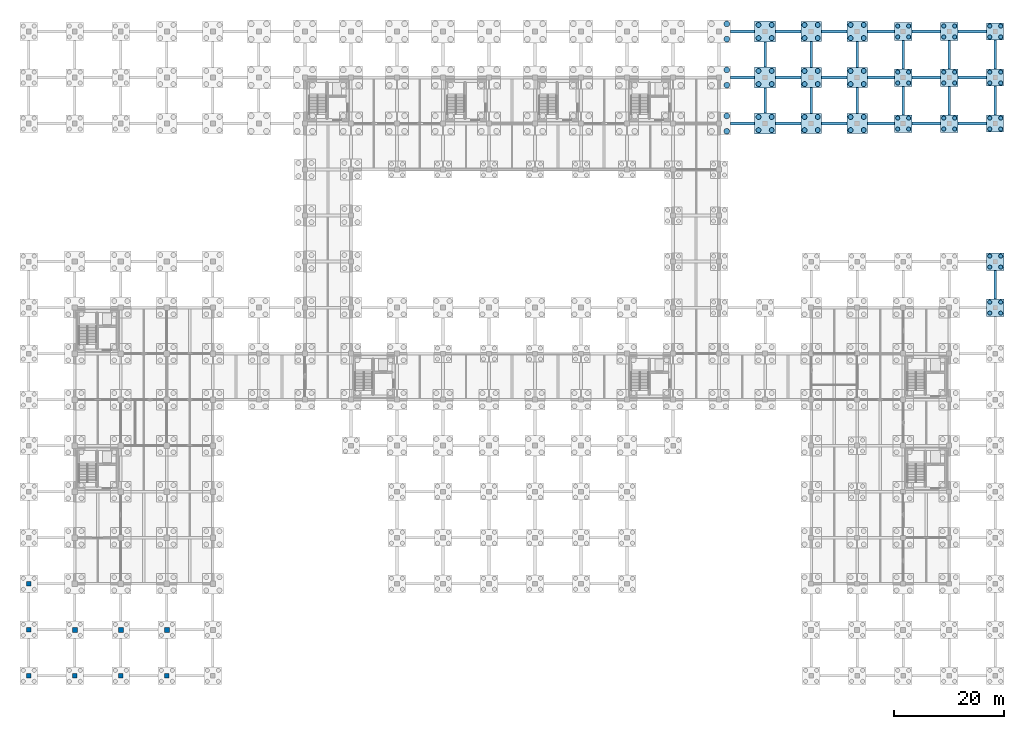
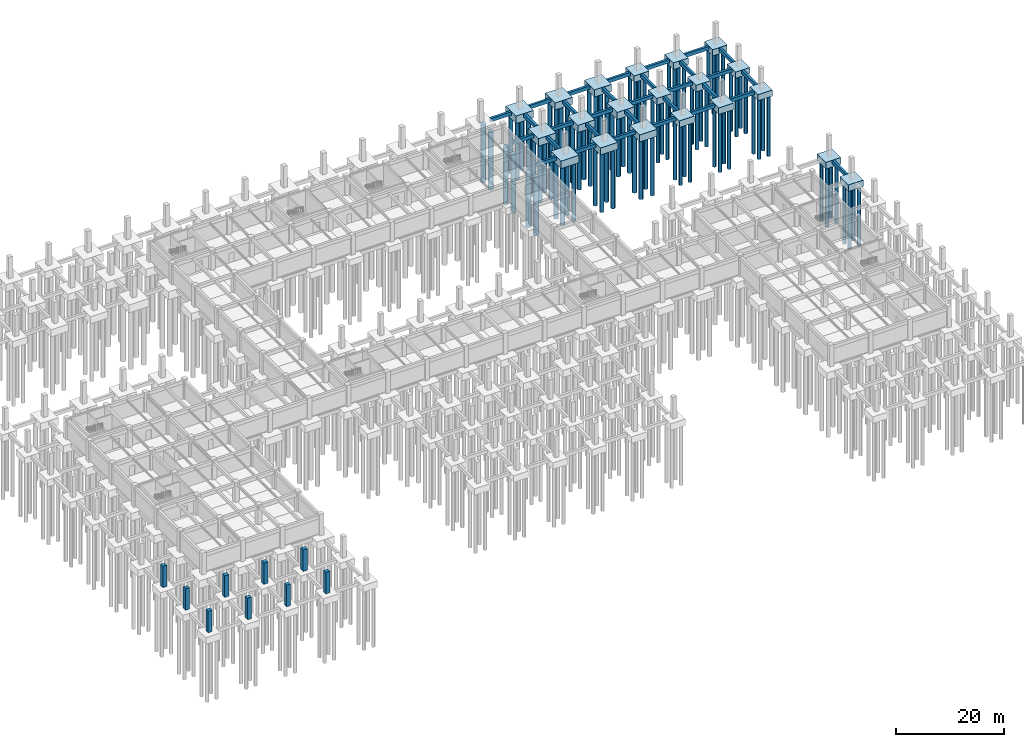
# One storey, part 11 of 29: 86 piles, 51 footings, 9 columns.
"""IFC4 building model written with IfcOpenShell, lengths in metres."""

from ifc_helpers import new_model, si_unit, direction, frame, origin, origin_2d, place, context, subcontext, project, spatial, rectangle, circle, extrude, material, material_profile, profile_set, type_object, element, save


model = new_model("IFC4")

# Units and contexts
model_context = context("Model", 3, precision=1e-05, world=origin(), true_north=direction((0.0, 1.0)))
body_context = subcontext(model_context, "Body", "Model", "MODEL_VIEW")
ifc_project = project(units=[si_unit("LENGTHUNIT", "METRE"), si_unit("AREAUNIT", "SQUARE_METRE"), si_unit("VOLUMEUNIT", "CUBIC_METRE"), si_unit("PLANEANGLEUNIT", "RADIAN"), si_unit("MASSUNIT", "GRAM", prefix="KILO")], contexts=[model_context])

# Site, building, storey
site_placement = place(None, origin())
site = spatial("IfcSite", under=ifc_project, at=site_placement, CompositionType="ELEMENT")
building_placement = place(site_placement, origin())
building = spatial("IfcBuilding", under=site, at=building_placement, Name="Porcellanite Civic Hall", CompositionType="ELEMENT")
storey_placement = place(building_placement, frame((0.0, 0.0, -4.5)))
storey = spatial("IfcBuildingStorey", under=building, at=storey_placement, Name="B1", CompositionType="ELEMENT", Elevation=-4.5)

# Footings
ifc_material_1 = material(Name="Concrete N40 (40 MPa)", Category="concrete")
ifc_material_profile_1 = material_profile(ifc_material_1, rectangle(XDim=0.5, YDim=0.800048828125, at=origin_2d()), Name="RC-500x800")
ifc_profile_set_1 = profile_set([ifc_material_profile_1], Name="Concrete N40 (40 MPa)")
footing_type_1 = type_object("IfcFootingType", Name="GB-01", PredefinedType="FOOTING_BEAM", material=ifc_profile_set_1)
for number, where, z_axis, x_axis, name in (
    (1, (128.10009765625, 100.800048828125, -0.75), (1.0, 0.0, 0.0), (0.0, 1.0, 0.0), "Ground tie beam B1 15-12 X"),
    (2, (128.10009765625, 109.199951171875, -0.75), (1.0, 0.0, 0.0), (0.0, 1.0, 0.0), "Ground tie beam B1 15-13 X"),
    (3, (128.10009765625, 117.60009765625, -0.75), (1.0, 0.0, 0.0), (0.0, 1.0, 0.0), "Ground tie beam B1 15-14 X"),
):
    element("IfcFooting", number, at=place(storey_placement, frame(where, z_axis=z_axis, x_axis=x_axis)), inside=storey, type_object=footing_type_1, Name=name, PredefinedType="FOOTING_BEAM", context=body_context, shape_type="SweptSolid", body=[
        extrude(rectangle(XDim=0.5, YDim=0.800048828125, at=origin_2d()), origin(), (0.0, 0.0, 1.0), 4.39990234375),
    ])
footing_1_placement = place(storey_placement, frame((136.300048828125, 100.800048828125, -0.75), z_axis=(1.0, 0.0, 0.0), x_axis=(0.0, 1.0, 0.0)))
element("IfcFooting", 4, at=footing_1_placement, inside=storey, type_object=footing_type_1, Name="Ground tie beam B1 16-12 X", PredefinedType="FOOTING_BEAM", context=body_context, shape_type="SweptSolid", body=[
    extrude(rectangle(XDim=0.5, YDim=0.800048828125, at=origin_2d()), origin(), (0.0, 0.0, 1.0), 4.64990234375),
])
footing_2_placement = place(storey_placement, frame((134.39990234375, 102.699951171875, -0.75), z_axis=(0.0, 1.0, 0.0), x_axis=(-1.0, 0.0, 0.0)))
element("IfcFooting", 5, at=footing_2_placement, inside=storey, type_object=footing_type_1, Name="Ground tie beam B1 16-12 Y", PredefinedType="FOOTING_BEAM", context=body_context, shape_type="SweptSolid", body=[
    extrude(rectangle(XDim=0.5, YDim=0.800048828125, at=origin_2d()), origin(), (0.0, 0.0, 1.0), 4.60009765625),
])
footing_3_placement = place(storey_placement, frame((136.300048828125, 109.199951171875, -0.75), z_axis=(1.0, 0.0, 0.0), x_axis=(0.0, 1.0, 0.0)))
element("IfcFooting", 6, at=footing_3_placement, inside=storey, type_object=footing_type_1, Name="Ground tie beam B1 16-13 X", PredefinedType="FOOTING_BEAM", context=body_context, shape_type="SweptSolid", body=[
    extrude(rectangle(XDim=0.5, YDim=0.800048828125, at=origin_2d()), origin(), (0.0, 0.0, 1.0), 4.64990234375),
])
footing_4_placement = place(storey_placement, frame((134.39990234375, 111.10009765625, -0.75), z_axis=(0.0, 1.0, 0.0), x_axis=(-1.0, 0.0, 0.0)))
element("IfcFooting", 7, at=footing_4_placement, inside=storey, type_object=footing_type_1, Name="Ground tie beam B1 16-13 Y", PredefinedType="FOOTING_BEAM", context=body_context, shape_type="SweptSolid", body=[
    extrude(rectangle(XDim=0.5, YDim=0.800048828125, at=origin_2d()), origin(), (0.0, 0.0, 1.0), 4.599853515625),
])
footing_5_placement = place(storey_placement, frame((136.300048828125, 117.60009765625, -0.75), z_axis=(1.0, 0.0, 0.0), x_axis=(0.0, 1.0, 0.0)))
element("IfcFooting", 8, at=footing_5_placement, inside=storey, type_object=footing_type_1, Name="Ground tie beam B1 16-14 X", PredefinedType="FOOTING_BEAM", context=body_context, shape_type="SweptSolid", body=[
    extrude(rectangle(XDim=0.5, YDim=0.800048828125, at=origin_2d()), origin(), (0.0, 0.0, 1.0), 4.64990234375),
])
for number, where, z_axis, x_axis, name in (
    (9, (144.64990234375, 100.800048828125, -0.75), (1.0, 0.0, 0.0), (0.0, 1.0, 0.0), "Ground tie beam B1 17-12 X"),
    (10, (142.800048828125, 102.64990234375, -0.75), (0.0, 1.0, 0.0), (-1.0, 0.0, 0.0), "Ground tie beam B1 17-12 Y"),
    (11, (144.64990234375, 109.199951171875, -0.75), (1.0, 0.0, 0.0), (0.0, 1.0, 0.0), "Ground tie beam B1 17-13 X"),
):
    element("IfcFooting", number, at=place(storey_placement, frame(where, z_axis=z_axis, x_axis=x_axis)), inside=storey, type_object=footing_type_1, Name=name, PredefinedType="FOOTING_BEAM", context=body_context, shape_type="SweptSolid", body=[
        extrude(rectangle(XDim=0.5, YDim=0.800048828125, at=origin_2d()), origin(), (0.0, 0.0, 1.0), 4.7001953125),
    ])
footing_6_placement = place(storey_placement, frame((142.800048828125, 111.050048828125, -0.75), z_axis=(0.0, 1.0, 0.0), x_axis=(-1.0, 0.0, 0.0)))
element("IfcFooting", 12, at=footing_6_placement, inside=storey, type_object=footing_type_1, Name="Ground tie beam B1 17-13 Y", PredefinedType="FOOTING_BEAM", context=body_context, shape_type="SweptSolid", body=[
    extrude(rectangle(XDim=0.5, YDim=0.800048828125, at=origin_2d()), origin(), (0.0, 0.0, 1.0), 4.699951171875),
])
footing_7_placement = place(storey_placement, frame((144.64990234375, 117.60009765625, -0.75), z_axis=(1.0, 0.0, 0.0), x_axis=(0.0, 1.0, 0.0)))
element("IfcFooting", 13, at=footing_7_placement, inside=storey, type_object=footing_type_1, Name="Ground tie beam B1 17-14 X", PredefinedType="FOOTING_BEAM", context=body_context, shape_type="SweptSolid", body=[
    extrude(rectangle(XDim=0.5, YDim=0.800048828125, at=origin_2d()), origin(), (0.0, 0.0, 1.0), 4.7001953125),
])
footing_8_placement = place(storey_placement, frame((153.050048828125, 100.800048828125, -0.75), z_axis=(1.0, 0.0, 0.0), x_axis=(0.0, 1.0, 0.0)))
element("IfcFooting", 14, at=footing_8_placement, inside=storey, type_object=footing_type_1, Name="Ground tie beam B1 18-12 X", PredefinedType="FOOTING_BEAM", context=body_context, shape_type="SweptSolid", body=[
    extrude(rectangle(XDim=0.5, YDim=0.800048828125, at=origin_2d()), origin(), (0.0, 0.0, 1.0), 4.949951171875),
])
footing_9_placement = place(storey_placement, frame((151.199951171875, 102.64990234375, -0.75), z_axis=(0.0, 1.0, 0.0), x_axis=(-1.0, 0.0, 0.0)))
element("IfcFooting", 15, at=footing_9_placement, inside=storey, type_object=footing_type_1, Name="Ground tie beam B1 18-12 Y", PredefinedType="FOOTING_BEAM", context=body_context, shape_type="SweptSolid", body=[
    extrude(rectangle(XDim=0.5, YDim=0.800048828125, at=origin_2d()), origin(), (0.0, 0.0, 1.0), 4.7001953125),
])
footing_10_placement = place(storey_placement, frame((153.050048828125, 109.199951171875, -0.75), z_axis=(1.0, 0.0, 0.0), x_axis=(0.0, 1.0, 0.0)))
element("IfcFooting", 16, at=footing_10_placement, inside=storey, type_object=footing_type_1, Name="Ground tie beam B1 18-13 X", PredefinedType="FOOTING_BEAM", context=body_context, shape_type="SweptSolid", body=[
    extrude(rectangle(XDim=0.5, YDim=0.800048828125, at=origin_2d()), origin(), (0.0, 0.0, 1.0), 4.949951171875),
])
footing_11_placement = place(storey_placement, frame((151.199951171875, 111.050048828125, -0.75), z_axis=(0.0, 1.0, 0.0), x_axis=(-1.0, 0.0, 0.0)))
element("IfcFooting", 17, at=footing_11_placement, inside=storey, type_object=footing_type_1, Name="Ground tie beam B1 18-13 Y", PredefinedType="FOOTING_BEAM", context=body_context, shape_type="SweptSolid", body=[
    extrude(rectangle(XDim=0.5, YDim=0.800048828125, at=origin_2d()), origin(), (0.0, 0.0, 1.0), 4.699951171875),
])
footing_12_placement = place(storey_placement, frame((153.050048828125, 117.60009765625, -0.75), z_axis=(1.0, 0.0, 0.0), x_axis=(0.0, 1.0, 0.0)))
element("IfcFooting", 18, at=footing_12_placement, inside=storey, type_object=footing_type_1, Name="Ground tie beam B1 18-14 X", PredefinedType="FOOTING_BEAM", context=body_context, shape_type="SweptSolid", body=[
    extrude(rectangle(XDim=0.5, YDim=0.800048828125, at=origin_2d()), origin(), (0.0, 0.0, 1.0), 4.949951171875),
])
footing_13_placement = place(storey_placement, frame((161.199951171875, 100.800048828125, -0.75), z_axis=(1.0, 0.0, 0.0), x_axis=(0.0, 1.0, 0.0)))
element("IfcFooting", 19, at=footing_13_placement, inside=storey, type_object=footing_type_1, Name="Ground tie beam B1 19-12 X", PredefinedType="FOOTING_BEAM", context=body_context, shape_type="SweptSolid", body=[
    extrude(rectangle(XDim=0.5, YDim=0.800048828125, at=origin_2d()), origin(), (0.0, 0.0, 1.0), 5.199951171875),
])
footing_14_placement = place(storey_placement, frame((159.60009765625, 102.39990234375, -0.75), z_axis=(0.0, 1.0, 0.0), x_axis=(-1.0, 0.0, 0.0)))
element("IfcFooting", 20, at=footing_14_placement, inside=storey, type_object=footing_type_1, Name="Ground tie beam B1 19-12 Y", PredefinedType="FOOTING_BEAM", context=body_context, shape_type="SweptSolid", body=[
    extrude(rectangle(XDim=0.5, YDim=0.800048828125, at=origin_2d()), origin(), (0.0, 0.0, 1.0), 5.2001953125),
])
for number, where, z_axis, x_axis, name in (
    (21, (161.199951171875, 109.199951171875, -0.75), (1.0, 0.0, 0.0), (0.0, 1.0, 0.0), "Ground tie beam B1 19-13 X"),
    (22, (159.60009765625, 110.800048828125, -0.75), (0.0, 1.0, 0.0), (-1.0, 0.0, 0.0), "Ground tie beam B1 19-13 Y"),
    (23, (161.199951171875, 117.60009765625, -0.75), (1.0, 0.0, 0.0), (0.0, 1.0, 0.0), "Ground tie beam B1 19-14 X"),
):
    element("IfcFooting", number, at=place(storey_placement, frame(where, z_axis=z_axis, x_axis=x_axis)), inside=storey, type_object=footing_type_1, Name=name, PredefinedType="FOOTING_BEAM", context=body_context, shape_type="SweptSolid", body=[
        extrude(rectangle(XDim=0.5, YDim=0.800048828125, at=origin_2d()), origin(), (0.0, 0.0, 1.0), 5.199951171875),
    ])
footing_15_placement = place(storey_placement, frame((169.60009765625, 100.800048828125, -0.75), z_axis=(1.0, 0.0, 0.0), x_axis=(0.0, 1.0, 0.0)))
element("IfcFooting", 24, at=footing_15_placement, inside=storey, type_object=footing_type_1, Name="Ground tie beam B1 20-12 X", PredefinedType="FOOTING_BEAM", context=body_context, shape_type="SweptSolid", body=[
    extrude(rectangle(XDim=0.5, YDim=0.800048828125, at=origin_2d()), origin(), (0.0, 0.0, 1.0), 5.25),
])
footing_16_placement = place(storey_placement, frame((168.0, 102.39990234375, -0.75), z_axis=(0.0, 1.0, 0.0), x_axis=(-1.0, 0.0, 0.0)))
element("IfcFooting", 25, at=footing_16_placement, inside=storey, type_object=footing_type_1, Name="Ground tie beam B1 20-12 Y", PredefinedType="FOOTING_BEAM", context=body_context, shape_type="SweptSolid", body=[
    extrude(rectangle(XDim=0.5, YDim=0.800048828125, at=origin_2d()), origin(), (0.0, 0.0, 1.0), 5.2001953125),
])
footing_17_placement = place(storey_placement, frame((169.60009765625, 109.199951171875, -0.75), z_axis=(1.0, 0.0, 0.0), x_axis=(0.0, 1.0, 0.0)))
element("IfcFooting", 26, at=footing_17_placement, inside=storey, type_object=footing_type_1, Name="Ground tie beam B1 20-13 X", PredefinedType="FOOTING_BEAM", context=body_context, shape_type="SweptSolid", body=[
    extrude(rectangle(XDim=0.5, YDim=0.800048828125, at=origin_2d()), origin(), (0.0, 0.0, 1.0), 5.25),
])
footing_18_placement = place(storey_placement, frame((168.0, 110.800048828125, -0.75), z_axis=(0.0, 1.0, 0.0), x_axis=(-1.0, 0.0, 0.0)))
element("IfcFooting", 27, at=footing_18_placement, inside=storey, type_object=footing_type_1, Name="Ground tie beam B1 20-13 Y", PredefinedType="FOOTING_BEAM", context=body_context, shape_type="SweptSolid", body=[
    extrude(rectangle(XDim=0.5, YDim=0.800048828125, at=origin_2d()), origin(), (0.0, 0.0, 1.0), 5.199951171875),
])
footing_19_placement = place(storey_placement, frame((169.60009765625, 117.60009765625, -0.75), z_axis=(1.0, 0.0, 0.0), x_axis=(0.0, 1.0, 0.0)))
element("IfcFooting", 28, at=footing_19_placement, inside=storey, type_object=footing_type_1, Name="Ground tie beam B1 20-14 X", PredefinedType="FOOTING_BEAM", context=body_context, shape_type="SweptSolid", body=[
    extrude(rectangle(XDim=0.5, YDim=0.800048828125, at=origin_2d()), origin(), (0.0, 0.0, 1.0), 5.25),
])
footing_20_placement = place(storey_placement, frame((176.39990234375, 68.800048828125, -0.75), z_axis=(0.0, 1.0, 0.0), x_axis=(-1.0, 0.0, 0.0)))
element("IfcFooting", 29, at=footing_20_placement, inside=storey, type_object=footing_type_1, Name="Ground tie beam B1 21-8 Y", PredefinedType="FOOTING_BEAM", context=body_context, shape_type="SweptSolid", body=[
    extrude(rectangle(XDim=0.5, YDim=0.800048828125, at=origin_2d()), origin(), (0.0, 0.0, 1.0), 5.199951171875),
])
footing_21_placement = place(storey_placement, frame((176.39990234375, 102.35009765625, -0.75), z_axis=(0.0, 1.0, 0.0), x_axis=(-1.0, 0.0, 0.0)))
element("IfcFooting", 30, at=footing_21_placement, inside=storey, type_object=footing_type_1, Name="Ground tie beam B1 21-12 Y", PredefinedType="FOOTING_BEAM", context=body_context, shape_type="SweptSolid", body=[
    extrude(rectangle(XDim=0.5, YDim=0.800048828125, at=origin_2d()), origin(), (0.0, 0.0, 1.0), 5.2998046875),
])
footing_22_placement = place(storey_placement, frame((176.39990234375, 110.75, -0.75), z_axis=(0.0, 1.0, 0.0), x_axis=(-1.0, 0.0, 0.0)))
element("IfcFooting", 31, at=footing_22_placement, inside=storey, type_object=footing_type_1, Name="Ground tie beam B1 21-13 Y", PredefinedType="FOOTING_BEAM", context=body_context, shape_type="SweptSolid", body=[
    extrude(rectangle(XDim=0.5, YDim=0.800048828125, at=origin_2d()), origin(), (0.0, 0.0, 1.0), 5.300048828125),
])
ifc_material_2 = material(Name="Concrete N40 (40 MPa)", Category="concrete")
footing_type_2 = type_object("IfcFootingType", Name="PC-01", PredefinedType="PILE_CAP", material=ifc_material_2)
for number, where, z_axis, x_axis, name in (
    (32, (176.39990234375, 100.800048828125, -1.75), (0.0, 0.0, 1.0), (1.0, 0.0, 0.0), "Pile cap 21-12"),
    (33, (176.39990234375, 109.199951171875, -1.75), (0.0, 0.0, 1.0), (1.0, 0.0, 0.0), "Pile cap 21-13"),
    (34, (176.39990234375, 117.60009765625, -1.75), (0.0, 0.0, 1.0), (1.0, 0.0, 0.0), "Pile cap 21-14"),
):
    element("IfcFooting", number, at=place(storey_placement, frame(where, z_axis=z_axis, x_axis=x_axis)), inside=storey, type_object=footing_type_2, Name=name, PredefinedType="PILE_CAP", context=body_context, shape_type="SweptSolid", body=[
        extrude(rectangle(XDim=3.10009765625, YDim=3.10009765625, at=origin_2d()), origin(), (0.0, 0.0, 1.0), 1.39990234375),
    ])
ifc_material_3 = material(Name="Concrete N40 (40 MPa)", Category="concrete")
footing_type_3 = type_object("IfcFootingType", Name="PC-02", PredefinedType="PILE_CAP", material=ifc_material_3)
for number, where, z_axis, x_axis, name in (
    (35, (159.60009765625, 100.800048828125, -1.85009765625), (0.0, 0.0, 1.0), (1.0, 0.0, 0.0), "Pile cap 19-12"),
    (36, (159.60009765625, 109.199951171875, -1.85009765625), (0.0, 0.0, 1.0), (1.0, 0.0, 0.0), "Pile cap 19-13"),
    (37, (159.60009765625, 117.60009765625, -1.85009765625), (0.0, 0.0, 1.0), (1.0, 0.0, 0.0), "Pile cap 19-14"),
    (38, (168.0, 100.800048828125, -1.85009765625), (0.0, 0.0, 1.0), (1.0, 0.0, 0.0), "Pile cap 20-12"),
    (39, (168.0, 109.199951171875, -1.85009765625), (0.0, 0.0, 1.0), (1.0, 0.0, 0.0), "Pile cap 20-13"),
    (40, (168.0, 117.60009765625, -1.85009765625), (0.0, 0.0, 1.0), (1.0, 0.0, 0.0), "Pile cap 20-14"),
    (41, (176.39990234375, 67.199951171875, -1.85009765625), (0.0, 0.0, 1.0), (1.0, 0.0, 0.0), "Pile cap 21-8"),
    (42, (176.39990234375, 75.60009765625, -1.85009765625), (0.0, 0.0, 1.0), (1.0, 0.0, 0.0), "Pile cap 21-9"),
):
    element("IfcFooting", number, at=place(storey_placement, frame(where, z_axis=z_axis, x_axis=x_axis)), inside=storey, type_object=footing_type_3, Name=name, PredefinedType="PILE_CAP", context=body_context, shape_type="SweptSolid", body=[
        extrude(rectangle(XDim=3.199951171875, YDim=3.199951171875, at=origin_2d()), origin(), (0.0, 0.0, 1.0), 1.5),
    ])
ifc_material_4 = material(Name="Concrete N40 (40 MPa)", Category="concrete")
footing_type_4 = type_object("IfcFootingType", Name="PC-03", PredefinedType="PILE_CAP", material=ifc_material_4)
for number, where, z_axis, x_axis, name in (
    (43, (142.800048828125, 100.800048828125, -1.949951171875), (0.0, 0.0, 1.0), (1.0, 0.0, 0.0), "Pile cap 17-12"),
    (44, (142.800048828125, 109.199951171875, -1.949951171875), (0.0, 0.0, 1.0), (1.0, 0.0, 0.0), "Pile cap 17-13"),
    (45, (142.800048828125, 117.60009765625, -1.949951171875), (0.0, 0.0, 1.0), (1.0, 0.0, 0.0), "Pile cap 17-14"),
    (46, (151.199951171875, 100.800048828125, -1.949951171875), (0.0, 0.0, 1.0), (1.0, 0.0, 0.0), "Pile cap 18-12"),
    (47, (151.199951171875, 109.199951171875, -1.949951171875), (0.0, 0.0, 1.0), (1.0, 0.0, 0.0), "Pile cap 18-13"),
    (48, (151.199951171875, 117.60009765625, -1.949951171875), (0.0, 0.0, 1.0), (1.0, 0.0, 0.0), "Pile cap 18-14"),
):
    element("IfcFooting", number, at=place(storey_placement, frame(where, z_axis=z_axis, x_axis=x_axis)), inside=storey, type_object=footing_type_4, Name=name, PredefinedType="PILE_CAP", context=body_context, shape_type="SweptSolid", body=[
        extrude(rectangle(XDim=3.699951171875, YDim=3.699951171875, at=origin_2d()), origin(), (0.0, 0.0, 1.0), 1.60009765625),
    ])
ifc_material_5 = material(Name="Concrete N40 (40 MPa)", Category="concrete")
footing_type_5 = type_object("IfcFootingType", Name="PC-04", PredefinedType="PILE_CAP", material=ifc_material_5)
for number, where, z_axis, x_axis, name in (
    (49, (134.39990234375, 100.800048828125, -2.0498046875), (0.0, 0.0, 1.0), (1.0, 0.0, 0.0), "Pile cap 16-12"),
    (50, (134.39990234375, 109.199951171875, -2.0498046875), (0.0, 0.0, 1.0), (1.0, 0.0, 0.0), "Pile cap 16-13"),
    (51, (134.39990234375, 117.60009765625, -2.0498046875), (0.0, 0.0, 1.0), (1.0, 0.0, 0.0), "Pile cap 16-14"),
):
    element("IfcFooting", number, at=place(storey_placement, frame(where, z_axis=z_axis, x_axis=x_axis)), inside=storey, type_object=footing_type_5, Name=name, PredefinedType="PILE_CAP", context=body_context, shape_type="SweptSolid", body=[
        extrude(rectangle(XDim=3.800048828125, YDim=3.800048828125, at=origin_2d()), origin(), (0.0, 0.0, 1.0), 1.699951171875),
    ])

# Piles
ifc_material_6 = material(Name="Concrete N40 (40 MPa)", Category="concrete")
ifc_material_profile_2 = material_profile(ifc_material_6, circle(Radius=0.52490234375, at=origin_2d()), Name="PILE-D1050")
ifc_profile_set_2 = profile_set([ifc_material_profile_2], Name="Concrete N40 (40 MPa)")
pile_type_1 = type_object("IfcPileType", Name="PL-1050", PredefinedType="BORED", material=ifc_profile_set_2)
for number, where, z_axis, x_axis, name in (
    (52, (127.39990234375, 99.39990234375, -2.14990234375), (0.0, 0.0, -1.0), (1.0, 0.0, 0.0), "Bored pile 15-12-3"),
    (53, (127.39990234375, 102.199951171875, -2.14990234375), (0.0, 0.0, -1.0), (1.0, 0.0, 0.0), "Bored pile 15-12-4"),
    (54, (127.39990234375, 107.800048828125, -2.14990234375), (0.0, 0.0, -1.0), (1.0, 0.0, 0.0), "Bored pile 15-13-3"),
    (55, (127.39990234375, 110.60009765625, -2.14990234375), (0.0, 0.0, -1.0), (1.0, 0.0, 0.0), "Bored pile 15-13-4"),
    (56, (127.39990234375, 116.199951171875, -2.14990234375), (0.0, 0.0, -1.0), (1.0, 0.0, 0.0), "Bored pile 15-14-3"),
    (57, (127.39990234375, 119.0, -2.14990234375), (0.0, 0.0, -1.0), (1.0, 0.0, 0.0), "Bored pile 15-14-4"),
):
    element("IfcPile", number, at=place(storey_placement, frame(where, z_axis=z_axis, x_axis=x_axis)), inside=storey, type_object=pile_type_1, Name=name, PredefinedType="BORED", context=body_context, shape_type="SweptSolid", body=[
        extrude(circle(Radius=0.52490234375, at=origin_2d()), origin(), (0.0, 0.0, 1.0), 13.14990234375),
    ])
ifc_material_7 = material(Name="Concrete N40 (40 MPa)", Category="concrete")
ifc_material_profile_3 = material_profile(ifc_material_7, circle(Radius=0.375, at=origin_2d()), Name="PILE-D750")
ifc_profile_set_3 = profile_set([ifc_material_profile_3], Name="Concrete N40 (40 MPa)")
pile_type_2 = type_object("IfcPileType", Name="PL-750", PredefinedType="BORED", material=ifc_profile_set_3)
for number, where, z_axis, x_axis, name in (
    (58, (158.60009765625, 99.800048828125, -1.85009765625), (0.0, 0.0, -1.0), (1.0, 0.0, 0.0), "Bored pile 19-12-1"),
    (59, (158.60009765625, 101.800048828125, -1.85009765625), (0.0, 0.0, -1.0), (1.0, 0.0, 0.0), "Bored pile 19-12-2"),
    (60, (160.60009765625, 99.800048828125, -1.85009765625), (0.0, 0.0, -1.0), (1.0, 0.0, 0.0), "Bored pile 19-12-3"),
    (61, (160.60009765625, 101.800048828125, -1.85009765625), (0.0, 0.0, -1.0), (1.0, 0.0, 0.0), "Bored pile 19-12-4"),
    (62, (158.60009765625, 108.199951171875, -1.85009765625), (0.0, 0.0, -1.0), (1.0, 0.0, 0.0), "Bored pile 19-13-1"),
    (63, (158.60009765625, 110.199951171875, -1.85009765625), (0.0, 0.0, -1.0), (1.0, 0.0, 0.0), "Bored pile 19-13-2"),
    (64, (160.60009765625, 108.199951171875, -1.85009765625), (0.0, 0.0, -1.0), (1.0, 0.0, 0.0), "Bored pile 19-13-3"),
    (65, (160.60009765625, 110.199951171875, -1.85009765625), (0.0, 0.0, -1.0), (1.0, 0.0, 0.0), "Bored pile 19-13-4"),
    (66, (158.60009765625, 116.60009765625, -1.85009765625), (0.0, 0.0, -1.0), (1.0, 0.0, 0.0), "Bored pile 19-14-1"),
    (67, (158.60009765625, 118.60009765625, -1.85009765625), (0.0, 0.0, -1.0), (1.0, 0.0, 0.0), "Bored pile 19-14-2"),
    (68, (160.60009765625, 116.60009765625, -1.85009765625), (0.0, 0.0, -1.0), (1.0, 0.0, 0.0), "Bored pile 19-14-3"),
    (69, (160.60009765625, 118.60009765625, -1.85009765625), (0.0, 0.0, -1.0), (1.0, 0.0, 0.0), "Bored pile 19-14-4"),
    (70, (167.0, 99.800048828125, -1.85009765625), (0.0, 0.0, -1.0), (1.0, 0.0, 0.0), "Bored pile 20-12-1"),
    (71, (167.0, 101.800048828125, -1.85009765625), (0.0, 0.0, -1.0), (1.0, 0.0, 0.0), "Bored pile 20-12-2"),
    (72, (169.0, 99.800048828125, -1.85009765625), (0.0, 0.0, -1.0), (1.0, 0.0, 0.0), "Bored pile 20-12-3"),
    (73, (169.0, 101.800048828125, -1.85009765625), (0.0, 0.0, -1.0), (1.0, 0.0, 0.0), "Bored pile 20-12-4"),
    (74, (167.0, 108.199951171875, -1.85009765625), (0.0, 0.0, -1.0), (1.0, 0.0, 0.0), "Bored pile 20-13-1"),
    (75, (167.0, 110.199951171875, -1.85009765625), (0.0, 0.0, -1.0), (1.0, 0.0, 0.0), "Bored pile 20-13-2"),
    (76, (169.0, 108.199951171875, -1.85009765625), (0.0, 0.0, -1.0), (1.0, 0.0, 0.0), "Bored pile 20-13-3"),
    (77, (169.0, 110.199951171875, -1.85009765625), (0.0, 0.0, -1.0), (1.0, 0.0, 0.0), "Bored pile 20-13-4"),
    (78, (167.0, 116.60009765625, -1.85009765625), (0.0, 0.0, -1.0), (1.0, 0.0, 0.0), "Bored pile 20-14-1"),
    (79, (167.0, 118.60009765625, -1.85009765625), (0.0, 0.0, -1.0), (1.0, 0.0, 0.0), "Bored pile 20-14-2"),
    (80, (169.0, 116.60009765625, -1.85009765625), (0.0, 0.0, -1.0), (1.0, 0.0, 0.0), "Bored pile 20-14-3"),
    (81, (169.0, 118.60009765625, -1.85009765625), (0.0, 0.0, -1.0), (1.0, 0.0, 0.0), "Bored pile 20-14-4"),
    (82, (175.39990234375, 66.199951171875, -1.85009765625), (0.0, 0.0, -1.0), (1.0, 0.0, 0.0), "Bored pile 21-8-1"),
    (83, (175.39990234375, 68.199951171875, -1.85009765625), (0.0, 0.0, -1.0), (1.0, 0.0, 0.0), "Bored pile 21-8-2"),
    (84, (177.39990234375, 66.199951171875, -1.85009765625), (0.0, 0.0, -1.0), (1.0, 0.0, 0.0), "Bored pile 21-8-3"),
    (85, (177.39990234375, 68.199951171875, -1.85009765625), (0.0, 0.0, -1.0), (1.0, 0.0, 0.0), "Bored pile 21-8-4"),
    (86, (175.39990234375, 74.60009765625, -1.85009765625), (0.0, 0.0, -1.0), (1.0, 0.0, 0.0), "Bored pile 21-9-1"),
    (87, (175.39990234375, 76.60009765625, -1.85009765625), (0.0, 0.0, -1.0), (1.0, 0.0, 0.0), "Bored pile 21-9-2"),
    (88, (177.39990234375, 74.60009765625, -1.85009765625), (0.0, 0.0, -1.0), (1.0, 0.0, 0.0), "Bored pile 21-9-3"),
    (89, (177.39990234375, 76.60009765625, -1.85009765625), (0.0, 0.0, -1.0), (1.0, 0.0, 0.0), "Bored pile 21-9-4"),
):
    element("IfcPile", number, at=place(storey_placement, frame(where, z_axis=z_axis, x_axis=x_axis)), inside=storey, type_object=pile_type_2, Name=name, PredefinedType="BORED", context=body_context, shape_type="SweptSolid", body=[
        extrude(circle(Radius=0.375, at=origin_2d()), origin(), (0.0, 0.0, 1.0), 13.449951171875),
    ])
for number, where, z_axis, x_axis, name in (
    (90, (175.39990234375, 99.800048828125, -1.75), (0.0, 0.0, -1.0), (1.0, 0.0, 0.0), "Bored pile 21-12-1"),
    (91, (175.39990234375, 101.800048828125, -1.75), (0.0, 0.0, -1.0), (1.0, 0.0, 0.0), "Bored pile 21-12-2"),
    (92, (177.39990234375, 99.800048828125, -1.75), (0.0, 0.0, -1.0), (1.0, 0.0, 0.0), "Bored pile 21-12-3"),
    (93, (177.39990234375, 101.800048828125, -1.75), (0.0, 0.0, -1.0), (1.0, 0.0, 0.0), "Bored pile 21-12-4"),
    (94, (175.39990234375, 108.199951171875, -1.75), (0.0, 0.0, -1.0), (1.0, 0.0, 0.0), "Bored pile 21-13-1"),
    (95, (175.39990234375, 110.199951171875, -1.75), (0.0, 0.0, -1.0), (1.0, 0.0, 0.0), "Bored pile 21-13-2"),
    (96, (177.39990234375, 108.199951171875, -1.75), (0.0, 0.0, -1.0), (1.0, 0.0, 0.0), "Bored pile 21-13-3"),
    (97, (177.39990234375, 110.199951171875, -1.75), (0.0, 0.0, -1.0), (1.0, 0.0, 0.0), "Bored pile 21-13-4"),
    (98, (175.39990234375, 116.60009765625, -1.75), (0.0, 0.0, -1.0), (1.0, 0.0, 0.0), "Bored pile 21-14-1"),
    (99, (175.39990234375, 118.60009765625, -1.75), (0.0, 0.0, -1.0), (1.0, 0.0, 0.0), "Bored pile 21-14-2"),
    (100, (177.39990234375, 116.60009765625, -1.75), (0.0, 0.0, -1.0), (1.0, 0.0, 0.0), "Bored pile 21-14-3"),
    (101, (177.39990234375, 118.60009765625, -1.75), (0.0, 0.0, -1.0), (1.0, 0.0, 0.0), "Bored pile 21-14-4"),
):
    element("IfcPile", number, at=place(storey_placement, frame(where, z_axis=z_axis, x_axis=x_axis)), inside=storey, type_object=pile_type_2, Name=name, PredefinedType="BORED", context=body_context, shape_type="SweptSolid", body=[
        extrude(circle(Radius=0.375, at=origin_2d()), origin(), (0.0, 0.0, 1.0), 13.550048828125),
    ])
ifc_material_8 = material(Name="Concrete N40 (40 MPa)", Category="concrete")
ifc_material_profile_4 = material_profile(ifc_material_8, circle(Radius=0.449951171875, at=origin_2d()), Name="PILE-D900")
ifc_profile_set_4 = profile_set([ifc_material_profile_4], Name="Concrete N40 (40 MPa)")
pile_type_3 = type_object("IfcPileType", Name="PL-900", PredefinedType="BORED", material=ifc_profile_set_4)
for number, where, z_axis, x_axis, name in (
    (102, (133.199951171875, 99.60009765625, -2.050048828125), (0.0, 0.0, -1.0), (1.0, 0.0, 0.0), "Bored pile 16-12-1"),
    (103, (133.199951171875, 102.0, -2.050048828125), (0.0, 0.0, -1.0), (1.0, 0.0, 0.0), "Bored pile 16-12-2"),
    (104, (135.60009765625, 99.60009765625, -2.050048828125), (0.0, 0.0, -1.0), (1.0, 0.0, 0.0), "Bored pile 16-12-3"),
    (105, (135.60009765625, 102.0, -2.050048828125), (0.0, 0.0, -1.0), (1.0, 0.0, 0.0), "Bored pile 16-12-4"),
    (106, (133.199951171875, 108.0, -2.050048828125), (0.0, 0.0, -1.0), (1.0, 0.0, 0.0), "Bored pile 16-13-1"),
    (107, (133.199951171875, 110.39990234375, -2.050048828125), (0.0, 0.0, -1.0), (1.0, 0.0, 0.0), "Bored pile 16-13-2"),
    (108, (135.60009765625, 108.0, -2.050048828125), (0.0, 0.0, -1.0), (1.0, 0.0, 0.0), "Bored pile 16-13-3"),
    (109, (135.60009765625, 110.39990234375, -2.050048828125), (0.0, 0.0, -1.0), (1.0, 0.0, 0.0), "Bored pile 16-13-4"),
    (110, (133.199951171875, 116.39990234375, -2.050048828125), (0.0, 0.0, -1.0), (1.0, 0.0, 0.0), "Bored pile 16-14-1"),
    (111, (133.199951171875, 118.800048828125, -2.050048828125), (0.0, 0.0, -1.0), (1.0, 0.0, 0.0), "Bored pile 16-14-2"),
    (112, (135.60009765625, 116.39990234375, -2.050048828125), (0.0, 0.0, -1.0), (1.0, 0.0, 0.0), "Bored pile 16-14-3"),
    (113, (135.60009765625, 118.800048828125, -2.050048828125), (0.0, 0.0, -1.0), (1.0, 0.0, 0.0), "Bored pile 16-14-4"),
):
    element("IfcPile", number, at=place(storey_placement, frame(where, z_axis=z_axis, x_axis=x_axis)), inside=storey, type_object=pile_type_3, Name=name, PredefinedType="BORED", context=body_context, shape_type="SweptSolid", body=[
        extrude(circle(Radius=0.449951171875, at=origin_2d()), origin(), (0.0, 0.0, 1.0), 13.25),
    ])
for number, where, z_axis, x_axis, name in (
    (114, (141.60009765625, 99.60009765625, -1.949951171875), (0.0, 0.0, -1.0), (1.0, 0.0, 0.0), "Bored pile 17-12-1"),
    (115, (141.60009765625, 102.0, -1.949951171875), (0.0, 0.0, -1.0), (1.0, 0.0, 0.0), "Bored pile 17-12-2"),
    (116, (144.0, 99.60009765625, -1.949951171875), (0.0, 0.0, -1.0), (1.0, 0.0, 0.0), "Bored pile 17-12-3"),
    (117, (144.0, 102.0, -1.949951171875), (0.0, 0.0, -1.0), (1.0, 0.0, 0.0), "Bored pile 17-12-4"),
    (118, (141.60009765625, 108.0, -1.949951171875), (0.0, 0.0, -1.0), (1.0, 0.0, 0.0), "Bored pile 17-13-1"),
    (119, (141.60009765625, 110.39990234375, -1.949951171875), (0.0, 0.0, -1.0), (1.0, 0.0, 0.0), "Bored pile 17-13-2"),
    (120, (144.0, 108.0, -1.949951171875), (0.0, 0.0, -1.0), (1.0, 0.0, 0.0), "Bored pile 17-13-3"),
    (121, (144.0, 110.39990234375, -1.949951171875), (0.0, 0.0, -1.0), (1.0, 0.0, 0.0), "Bored pile 17-13-4"),
    (122, (141.60009765625, 116.39990234375, -1.949951171875), (0.0, 0.0, -1.0), (1.0, 0.0, 0.0), "Bored pile 17-14-1"),
    (123, (141.60009765625, 118.800048828125, -1.949951171875), (0.0, 0.0, -1.0), (1.0, 0.0, 0.0), "Bored pile 17-14-2"),
    (124, (144.0, 116.39990234375, -1.949951171875), (0.0, 0.0, -1.0), (1.0, 0.0, 0.0), "Bored pile 17-14-3"),
    (125, (144.0, 118.800048828125, -1.949951171875), (0.0, 0.0, -1.0), (1.0, 0.0, 0.0), "Bored pile 17-14-4"),
    (126, (150.0, 99.60009765625, -1.949951171875), (0.0, 0.0, -1.0), (1.0, 0.0, 0.0), "Bored pile 18-12-1"),
    (127, (150.0, 102.0, -1.949951171875), (0.0, 0.0, -1.0), (1.0, 0.0, 0.0), "Bored pile 18-12-2"),
    (128, (152.39990234375, 99.60009765625, -1.949951171875), (0.0, 0.0, -1.0), (1.0, 0.0, 0.0), "Bored pile 18-12-3"),
    (129, (152.39990234375, 102.0, -1.949951171875), (0.0, 0.0, -1.0), (1.0, 0.0, 0.0), "Bored pile 18-12-4"),
    (130, (150.0, 108.0, -1.949951171875), (0.0, 0.0, -1.0), (1.0, 0.0, 0.0), "Bored pile 18-13-1"),
    (131, (150.0, 110.39990234375, -1.949951171875), (0.0, 0.0, -1.0), (1.0, 0.0, 0.0), "Bored pile 18-13-2"),
    (132, (152.39990234375, 108.0, -1.949951171875), (0.0, 0.0, -1.0), (1.0, 0.0, 0.0), "Bored pile 18-13-3"),
    (133, (152.39990234375, 110.39990234375, -1.949951171875), (0.0, 0.0, -1.0), (1.0, 0.0, 0.0), "Bored pile 18-13-4"),
    (134, (150.0, 116.39990234375, -1.949951171875), (0.0, 0.0, -1.0), (1.0, 0.0, 0.0), "Bored pile 18-14-1"),
    (135, (150.0, 118.800048828125, -1.949951171875), (0.0, 0.0, -1.0), (1.0, 0.0, 0.0), "Bored pile 18-14-2"),
    (136, (152.39990234375, 116.39990234375, -1.949951171875), (0.0, 0.0, -1.0), (1.0, 0.0, 0.0), "Bored pile 18-14-3"),
    (137, (152.39990234375, 118.800048828125, -1.949951171875), (0.0, 0.0, -1.0), (1.0, 0.0, 0.0), "Bored pile 18-14-4"),
):
    element("IfcPile", number, at=place(storey_placement, frame(where, z_axis=z_axis, x_axis=x_axis)), inside=storey, type_object=pile_type_3, Name=name, PredefinedType="BORED", context=body_context, shape_type="SweptSolid", body=[
        extrude(circle(Radius=0.449951171875, at=origin_2d()), origin(), (0.0, 0.0, 1.0), 13.35009765625),
    ])

# Columns
ifc_material_9 = material(Name="Concrete N50 (50 MPa)", Category="concrete")
ifc_material_profile_5 = material_profile(ifc_material_9, rectangle(XDim=0.85009765625, YDim=0.85009765625, at=origin_2d()), Name="RC-850x850")
ifc_profile_set_5 = profile_set([ifc_material_profile_5], Name="Concrete N50 (50 MPa)")
column_type_1 = type_object("IfcColumnType", Name="COL-850", PredefinedType="COLUMN", material=ifc_profile_set_5)
for number, where, z_axis, x_axis, name in (
    (138, (0.0, 0.0, -0.35009765625), (0.0, 0.0, 1.0), (1.0, 0.0, 0.0), "Column B1 0-0"),
    (139, (0.0, 8.39990234375, -0.35009765625), (0.0, 0.0, 1.0), (1.0, 0.0, 0.0), "Column B1 0-1"),
    (140, (0.0, 16.800048828125, -0.35009765625), (0.0, 0.0, 1.0), (1.0, 0.0, 0.0), "Column B1 0-2"),
    (141, (8.39990234375, 0.0, -0.35009765625), (0.0, 0.0, 1.0), (1.0, 0.0, 0.0), "Column B1 1-0"),
    (142, (16.800048828125, 0.0, -0.35009765625), (0.0, 0.0, 1.0), (1.0, 0.0, 0.0), "Column B1 2-0"),
    (143, (25.199951171875, 0.0, -0.35009765625), (0.0, 0.0, 1.0), (1.0, 0.0, 0.0), "Column B1 3-0"),
):
    element("IfcColumn", number, at=place(storey_placement, frame(where, z_axis=z_axis, x_axis=x_axis)), inside=storey, type_object=column_type_1, Name=name, PredefinedType="COLUMN", context=body_context, shape_type="SweptSolid", body=[
        extrude(rectangle(XDim=0.85009765625, YDim=0.85009765625, at=origin_2d()), origin(), (0.0, 0.0, 1.0), 4.85009765625),
    ])
ifc_material_10 = material(Name="Concrete N50 (50 MPa)", Category="concrete")
ifc_material_profile_6 = material_profile(ifc_material_10, rectangle(XDim=0.89990234375, YDim=0.89990234375, at=origin_2d()), Name="RC-900x900")
ifc_profile_set_6 = profile_set([ifc_material_profile_6], Name="Concrete N50 (50 MPa)")
column_type_2 = type_object("IfcColumnType", Name="COL-900", PredefinedType="COLUMN", material=ifc_profile_set_6)
for number, where, z_axis, x_axis, name in (
    (144, (8.39990234375, 8.39990234375, -0.35009765625), (0.0, 0.0, 1.0), (1.0, 0.0, 0.0), "Column B1 1-1"),
    (145, (16.800048828125, 8.39990234375, -0.35009765625), (0.0, 0.0, 1.0), (1.0, 0.0, 0.0), "Column B1 2-1"),
    (146, (25.199951171875, 8.39990234375, -0.35009765625), (0.0, 0.0, 1.0), (1.0, 0.0, 0.0), "Column B1 3-1"),
):
    element("IfcColumn", number, at=place(storey_placement, frame(where, z_axis=z_axis, x_axis=x_axis)), inside=storey, type_object=column_type_2, Name=name, PredefinedType="COLUMN", context=body_context, shape_type="SweptSolid", body=[
        extrude(rectangle(XDim=0.89990234375, YDim=0.89990234375, at=origin_2d()), origin(), (0.0, 0.0, 1.0), 4.85009765625),
    ])

save(model, "model.ifc")
